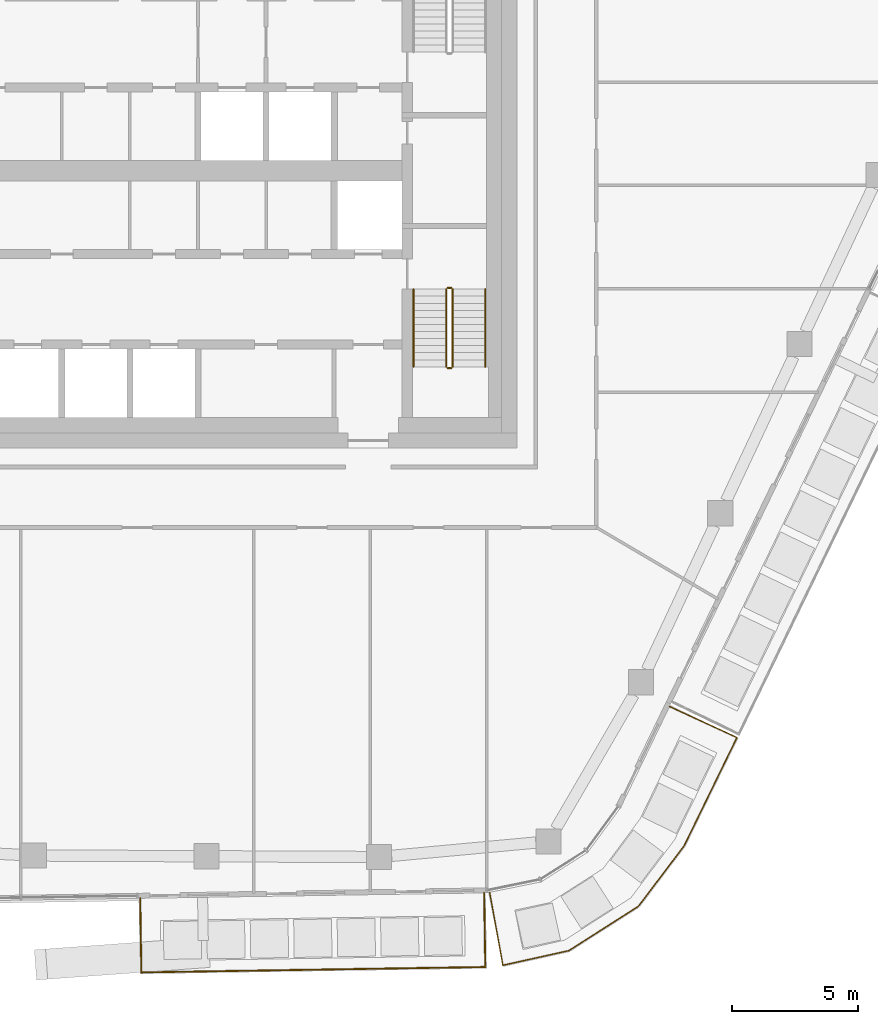
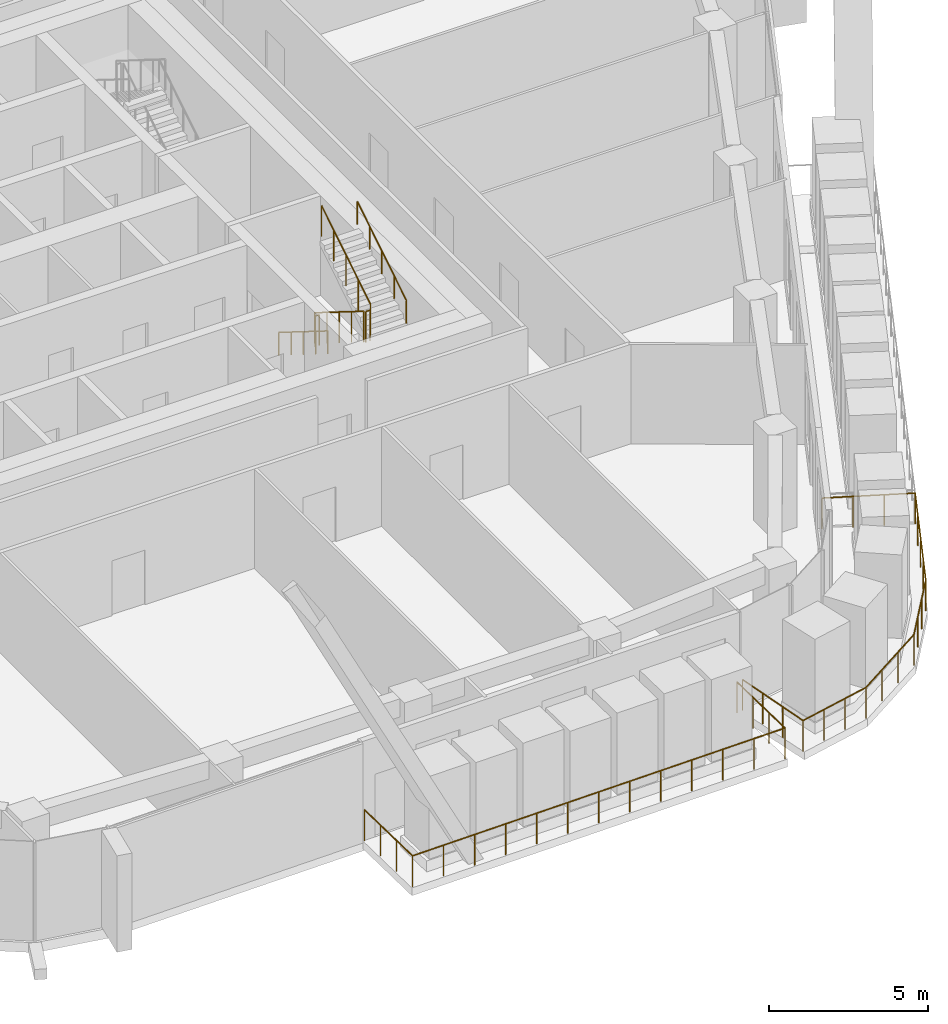
# One storey, part 20 of 24: 8 railings.
"""IFC4 building model written with IfcOpenShell, lengths in metres."""

import ifcopenshell
import ifcopenshell.guid

model = None  # the IFC model being written
_history = None  # IfcOwnerHistory: only IFC2X3 demands one
_inside = {}  # id of a spatial element -> (the spatial element, [elements in it])
_under = {}  # id of a project, library or spatial element -> (it, [spatial elements below it])
_declared = {}  # id of a project -> (the project, [libraries it declares])
_typed = {}  # id of a type object -> (the type object, [elements of that type])
_made_of = {}  # id of a material, layer set ... -> (it, [elements and type objects made of it])


def new_model(schema):
    """Start an empty IFC model of exactly this schema.

    Asked for "IFC4X3", IfcOpenShell would pick the latest addendum, in which some entities
    have other attributes; the version numbers below select the first issue.
    IFC2X3 requires an IfcOwnerHistory on every rooted entity: one is made here for all.
    """
    global model, _history
    if schema == "IFC4X3":
        model = ifcopenshell.file(schema_version=(4, 3, 0, 0))
    else:
        model = ifcopenshell.file(schema=schema)
    _inside.clear()
    _under.clear()
    _declared.clear()
    _typed.clear()
    _made_of.clear()
    _history = None
    if model.schema == "IFC2X3":
        org = make("IfcOrganization", Name="unknown")
        user = make(
            "IfcPersonAndOrganization",
            ThePerson=make("IfcPerson", FamilyName="unknown"),
            TheOrganization=org,
        )
        app = make(
            "IfcApplication",
            ApplicationDeveloper=org,
            Version="unknown",
            ApplicationFullName="unknown",
            ApplicationIdentifier="unknown",
        )
        _history = make(
            "IfcOwnerHistory",
            OwningUser=user,
            OwningApplication=app,
            ChangeAction="ADDED",
            CreationDate=0,
        )
    return model


def make(cls, **values):
    """One entity of the class cls with the attributes given. An attribute that is None is left unset."""
    return model.create_entity(
        cls, **{name: value for name, value in values.items() if value is not None}
    )


def rooted(cls, **values):
    """An entity with a GlobalId (a new one), such as an element, a storey or a relation."""
    return make(cls, GlobalId=ifcopenshell.guid.new(), OwnerHistory=_history, **values)


def si_unit(unit_type, name, prefix=None):
    """IfcSIUnit, for example si_unit("LENGTHUNIT", "METRE", prefix="MILLI")."""
    return make("IfcSIUnit", UnitType=unit_type, Prefix=prefix, Name=name)


def assignment(units):
    """IfcUnitAssignment: the units of a project."""
    return None if units is None else make("IfcUnitAssignment", Units=units)


def point(xyz):
    """IfcCartesianPoint."""
    return None if xyz is None else make("IfcCartesianPoint", Coordinates=xyz)


def direction(xyz):
    """IfcDirection."""
    return None if xyz is None else make("IfcDirection", DirectionRatios=xyz)


def frame(location, z_axis=None, x_axis=None):
    """IfcAxis2Placement3D, a coordinate frame: its origin and axes. An axis left out is left unset."""
    return make(
        "IfcAxis2Placement3D",
        Location=point(location),
        Axis=direction(z_axis),
        RefDirection=direction(x_axis),
    )


def frame_2d(location, x_axis=None):
    """IfcAxis2Placement2D, a coordinate frame in the plane: its origin and x axis."""
    return make(
        "IfcAxis2Placement2D", Location=point(location), RefDirection=direction(x_axis)
    )


def origin():
    """The frame at (0, 0, 0) with its axes left unset."""
    return frame((0.0, 0.0, 0.0))


def origin_2d():
    """The frame at (0, 0) in the plane with its x axis left unset."""
    return frame_2d((0.0, 0.0))


def place(relative_to, where):
    """IfcLocalPlacement: puts the frame where relative to a parent placement (None: the world)."""
    return make(
        "IfcLocalPlacement", PlacementRelTo=relative_to, RelativePlacement=where
    )


def context(
    kind, dimensions, precision=None, world=None, true_north=None, identifier=None
):
    """IfcGeometricRepresentationContext, for example the 3D "Model" context."""
    return make(
        "IfcGeometricRepresentationContext",
        ContextIdentifier=identifier,
        ContextType=kind,
        CoordinateSpaceDimension=dimensions,
        Precision=precision,
        WorldCoordinateSystem=world,
        TrueNorth=true_north,
    )


def subcontext(parent, identifier, kind, view, scale=None):
    """IfcGeometricRepresentationSubContext, for example "Body" below "Model"."""
    return make(
        "IfcGeometricRepresentationSubContext",
        ContextIdentifier=identifier,
        ContextType=kind,
        ParentContext=parent,
        TargetScale=scale,
        TargetView=view,
    )


def project(units=None, contexts=None):
    """IfcProject with its units and contexts."""
    return rooted(
        "IfcProject",
        Name="project",
        RepresentationContexts=contexts,
        UnitsInContext=assignment(units),
    )


def spatial(cls, under=None, at=None, **own):
    """A site, building, storey or space (cls), placed at a placement, below another one or the project."""
    s = rooted(cls, ObjectPlacement=at, **own)
    if under is not None:
        _under.setdefault(under.id(), (under, []))[1].append(s)
    return s


def profile(cls, at=None, kind="AREA", **sizes):
    """A parametric profile (cls). Its sizes go by their IFC names, for example OverallWidth=200.0."""
    return make(cls, ProfileType=kind, Position=at, **sizes)


def circle(**sizes):
    """IfcCircleProfileDef."""
    return profile("IfcCircleProfileDef", **sizes)


def extrude(swept, where, along, depth):
    """IfcExtrudedAreaSolid: the profile swept, set in the frame where, extruded along a direction by depth."""
    return make(
        "IfcExtrudedAreaSolid",
        SweptArea=swept,
        Position=where,
        ExtrudedDirection=direction(along),
        Depth=depth,
    )


def shape(context_of_items, identifier, shape_type, items):
    """IfcShapeRepresentation: the items that make up one representation, for example the "Body"."""
    return make(
        "IfcShapeRepresentation",
        ContextOfItems=context_of_items,
        RepresentationIdentifier=identifier,
        RepresentationType=shape_type,
        Items=items,
    )


def material(Name=None, Category=None):
    """IfcMaterial."""
    return make("IfcMaterial", Name=Name, Category=Category)


def made_of(thing, what):
    """Note that an element or type object is made of a material, layer set ...; save() writes the relation."""
    if what is not None:
        _made_of.setdefault(what.id(), (what, []))[1].append(thing)
    return thing


def type_object(cls, material=None, **own):
    """A type object (cls), such as IfcWallType, which elements share."""
    return made_of(rooted(cls, **own), material)


def element(
    cls,
    number,
    at=None,
    inside=None,
    cuts=None,
    type_object=None,
    material=None,
    context=None,
    identifier="Body",
    shape_type=None,
    held_by="IfcProductDefinitionShape",
    body=None,
    shapes=None,
    **own,
):
    """One element of the class cls, such as IfcWall. Its Tag is "e" and its number.

    at: its placement. inside: the storey or other place that contains it. cuts: it is an
    opening in that element (IfcRelVoidsElement). A single representation is given by context,
    identifier, shape_type and body (its items); several are given by shapes. held_by: the class
    of the entity that holds the representations. save() writes the other relations.
    """
    e = rooted(cls, Tag="e%d" % number, ObjectPlacement=at, **own)
    if body is not None:
        shapes = [shape(context, identifier, shape_type, body)]
    if shapes is not None:
        e.Representation = make(held_by, Representations=shapes)
    if inside is not None:
        _inside.setdefault(inside.id(), (inside, []))[1].append(e)
    if cuts is not None:
        rooted(
            "IfcRelVoidsElement", RelatingBuildingElement=cuts, RelatedOpeningElement=e
        )
    if type_object is not None:
        _typed.setdefault(type_object.id(), (type_object, []))[1].append(e)
    return made_of(e, material)


def aggregate(whole, parts):
    """IfcRelAggregates: a whole, such as a stair, and the parts it consists of."""
    return rooted("IfcRelAggregates", RelatingObject=whole, RelatedObjects=parts)


def save(model, path):
    """Write the relations noted so far, then the file.

    IfcRelAggregates (storeys below a building ...), IfcRelContainedInSpatialStructure (elements
    in a storey), IfcRelDefinesByType, IfcRelAssociatesMaterial and IfcRelDeclares: one each for
    every whole, place, type object, material and project.
    """
    for whole, parts in _under.values():
        aggregate(whole, parts)
    for where, things in _inside.values():
        rooted(
            "IfcRelContainedInSpatialStructure",
            RelatedElements=things,
            RelatingStructure=where,
        )
    for kind, things in _typed.values():
        rooted("IfcRelDefinesByType", RelatedObjects=things, RelatingType=kind)
    for what, things in _made_of.values():
        rooted("IfcRelAssociatesMaterial", RelatedObjects=things, RelatingMaterial=what)
    for by, libraries in _declared.values():
        rooted("IfcRelDeclares", RelatingContext=by, RelatedDefinitions=libraries)
    model.write(path)


model = new_model("IFC4")

# Units and contexts
model_context = context("Model", 3, precision=1e-05, world=origin(), true_north=direction((0.0, 1.0)))
body_context = subcontext(model_context, "Body", "Model", "MODEL_VIEW")
ifc_project = project(units=[si_unit("LENGTHUNIT", "METRE"), si_unit("AREAUNIT", "SQUARE_METRE"), si_unit("VOLUMEUNIT", "CUBIC_METRE"), si_unit("PLANEANGLEUNIT", "RADIAN"), si_unit("MASSUNIT", "GRAM", prefix="KILO")], contexts=[model_context])

# Site, building, storey
site_placement = place(None, origin())
site = spatial("IfcSite", under=ifc_project, at=site_placement, CompositionType="ELEMENT")
building_placement = place(site_placement, origin())
building = spatial("IfcBuilding", under=site, at=building_placement, Name="Dongbaek Canopy Tower", CompositionType="ELEMENT")
storey_placement = place(building_placement, frame((0.0, 0.0, 298.39990234375)))
storey = spatial("IfcBuildingStorey", under=building, at=storey_placement, Name="L63", CompositionType="ELEMENT", Elevation=298.39990234375)

# Railings
ifc_material_1 = material(Name="Stainless steel", Category="steel")
railing_type_1 = type_object("IfcRailingType", Name="Balcony balustrade 1200", PredefinedType="BALUSTRADE", material=ifc_material_1)
railing_1_placement = place(storey_placement, frame((-0.943359375, -28.865478515625, 0.0)))
element("IfcRailing", 1, at=railing_1_placement, inside=storey, type_object=railing_type_1, Name="Balcony guard L63 4", PredefinedType="BALUSTRADE", context=body_context, shape_type="SweptSolid", body=[
    extrude(circle(Radius=0.02392578125, at=origin_2d()), frame((0.0, 0.0, 1.17578125), z_axis=(0.015694437486, -0.999876834731, 0.0), x_axis=(0.999876834731, 0.015694437486, 0.0)), (0.0, 0.0, 1.0), 2.93994140625),
    extrude(circle(Radius=0.02392578125, at=origin_2d()), frame((0.046142578125, -2.939697265625, 1.17578125), z_axis=(0.999876923775, 0.015688763569, 0.0), x_axis=(-0.015688763569, 0.999876923775, 0.0)), (0.0, 0.0, 1.0), 13.6474609375),
    extrude(circle(Radius=0.02392578125, at=origin_2d()), frame((13.69189453125, -2.7255859375, 1.17578125), z_axis=(-0.015695740689, 0.999876814275, 0.0), x_axis=(-0.999876814275, -0.015695740689, 0.0)), (0.0, 0.0, 1.0), 2.939697265625),
    extrude(circle(Radius=0.02099609375, at=origin_2d()), origin(), (0.0, 0.0, 1.0), 1.15185546875),
    extrude(circle(Radius=0.02099609375, at=origin_2d()), frame((0.015380859375, -0.97998046875, 0.0)), (0.0, 0.0, 1.0), 1.15185546875),
    extrude(circle(Radius=0.02099609375, at=origin_2d()), frame((0.03076171875, -1.959716796875, 0.0)), (0.0, 0.0, 1.0), 1.15185546875),
    extrude(circle(Radius=0.02099609375, at=origin_2d()), frame((0.046142578125, -2.939697265625, 0.0)), (0.0, 0.0, 1.0), 1.15185546875),
    extrude(circle(Radius=0.02099609375, at=origin_2d()), frame((1.183349609375, -2.921875, 0.0)), (0.0, 0.0, 1.0), 1.15185546875),
    extrude(circle(Radius=0.02099609375, at=origin_2d()), frame((2.3203125, -2.904052734375, 0.0)), (0.0, 0.0, 1.0), 1.15185546875),
    extrude(circle(Radius=0.02099609375, at=origin_2d()), frame((3.45751953125, -2.88623046875, 0.0)), (0.0, 0.0, 1.0), 1.15185546875),
    extrude(circle(Radius=0.02099609375, at=origin_2d()), frame((4.5947265625, -2.868408203125, 0.0)), (0.0, 0.0, 1.0), 1.15185546875),
    extrude(circle(Radius=0.02099609375, at=origin_2d()), frame((5.73193359375, -2.8505859375, 0.0)), (0.0, 0.0, 1.0), 1.15185546875),
    extrude(circle(Radius=0.02099609375, at=origin_2d()), frame((6.869140625, -2.83251953125, 0.0)), (0.0, 0.0, 1.0), 1.15185546875),
    extrude(circle(Radius=0.02099609375, at=origin_2d()), frame((8.006103515625, -2.814697265625, 0.0)), (0.0, 0.0, 1.0), 1.15185546875),
    extrude(circle(Radius=0.02099609375, at=origin_2d()), frame((9.143310546875, -2.796875, 0.0)), (0.0, 0.0, 1.0), 1.15185546875),
    extrude(circle(Radius=0.02099609375, at=origin_2d()), frame((10.280517578125, -2.779052734375, 0.0)), (0.0, 0.0, 1.0), 1.15185546875),
    extrude(circle(Radius=0.02099609375, at=origin_2d()), frame((11.41748046875, -2.76123046875, 0.0)), (0.0, 0.0, 1.0), 1.15185546875),
    extrude(circle(Radius=0.02099609375, at=origin_2d()), frame((12.5546875, -2.743408203125, 0.0)), (0.0, 0.0, 1.0), 1.15185546875),
    extrude(circle(Radius=0.02099609375, at=origin_2d()), frame((13.69189453125, -2.7255859375, 0.0)), (0.0, 0.0, 1.0), 1.15185546875),
    extrude(circle(Radius=0.02099609375, at=origin_2d()), frame((13.676513671875, -1.745849609375, 0.0)), (0.0, 0.0, 1.0), 1.15185546875),
    extrude(circle(Radius=0.02099609375, at=origin_2d()), frame((13.6611328125, -0.765869140625, 0.0)), (0.0, 0.0, 1.0), 1.15185546875),
    extrude(circle(Radius=0.02099609375, at=origin_2d()), frame((13.645751953125, 0.2138671875, 0.0)), (0.0, 0.0, 1.0), 1.15185546875),
])
railing_2_placement = place(storey_placement, frame((12.920166015625, -28.6279296875, 0.0)))
element("IfcRailing", 2, at=railing_2_placement, inside=storey, type_object=railing_type_1, Name="Balcony guard L63 8", PredefinedType="BALUSTRADE", context=body_context, shape_type="SweptSolid", body=[
    extrude(circle(Radius=0.02392578125, at=origin_2d()), frame((0.0, 0.0, 1.17578125), z_axis=(0.178330161984, -0.983970707555, 0.0), x_axis=(0.983970707555, 0.178330161984, 0.0)), (0.0, 0.0, 1.0), 2.940673828125),
    extrude(circle(Radius=0.02392578125, at=origin_2d()), frame((0.5244140625, -2.8935546875, 1.17578125), z_axis=(0.976289674144, 0.216468178169, 0.0), x_axis=(-0.216468178169, 0.976289674144, 0.0)), (0.0, 0.0, 1.0), 2.684326171875),
    extrude(circle(Radius=0.02392578125, at=origin_2d()), frame((3.14501953125, -2.3125, 1.17578125), z_axis=(0.843107940563, 0.537744363577, 0.0), x_axis=(-0.537744363577, 0.843107940563, 0.0)), (0.0, 0.0, 1.0), 3.271484375),
    extrude(circle(Radius=0.02392578125, at=origin_2d()), frame((5.9033203125, -0.55322265625, 1.17578125), z_axis=(0.603154935556, 0.797624049108, 0.0), x_axis=(-0.797624049108, 0.603154935556, 0.0)), (0.0, 0.0, 1.0), 3.004150390625),
    extrude(circle(Radius=0.02392578125, at=origin_2d()), frame((7.71533203125, 1.843017578125, 1.17578125), z_axis=(0.43816512398, 0.898894501111, 0.0), x_axis=(-0.898894501111, 0.43816512398, 0.0)), (0.0, 0.0, 1.0), 4.782470703125),
    extrude(circle(Radius=0.02392578125, at=origin_2d()), frame((9.810791015625, 6.141845703125, 1.17578125), z_axis=(-0.90870152935, 0.417446440345, 0.0), x_axis=(-0.417446440345, -0.90870152935, 0.0)), (0.0, 0.0, 1.0), 2.940673828125),
    extrude(circle(Radius=0.02099609375, at=origin_2d()), origin(), (0.0, 0.0, 1.0), 1.15185546875),
    extrude(circle(Radius=0.02099609375, at=origin_2d()), frame((0.1748046875, -0.964599609375, 0.0)), (0.0, 0.0, 1.0), 1.15185546875),
    extrude(circle(Radius=0.02099609375, at=origin_2d()), frame((0.349609375, -1.928955078125, 0.0)), (0.0, 0.0, 1.0), 1.15185546875),
    extrude(circle(Radius=0.02099609375, at=origin_2d()), frame((0.5244140625, -2.8935546875, 0.0)), (0.0, 0.0, 1.0), 1.15185546875),
    extrude(circle(Radius=0.02099609375, at=origin_2d()), frame((1.39794921875, -2.699951171875, 0.0)), (0.0, 0.0, 1.0), 1.15185546875),
    extrude(circle(Radius=0.02099609375, at=origin_2d()), frame((2.271484375, -2.506103515625, 0.0)), (0.0, 0.0, 1.0), 1.15185546875),
    extrude(circle(Radius=0.02099609375, at=origin_2d()), frame((3.14501953125, -2.3125, 0.0)), (0.0, 0.0, 1.0), 1.15185546875),
    extrude(circle(Radius=0.02099609375, at=origin_2d()), frame((4.064453125, -1.72607421875, 0.0)), (0.0, 0.0, 1.0), 1.15185546875),
    extrude(circle(Radius=0.02099609375, at=origin_2d()), frame((4.98388671875, -1.1396484375, 0.0)), (0.0, 0.0, 1.0), 1.15185546875),
    extrude(circle(Radius=0.02099609375, at=origin_2d()), frame((5.9033203125, -0.55322265625, 0.0)), (0.0, 0.0, 1.0), 1.15185546875),
    extrude(circle(Radius=0.02099609375, at=origin_2d()), frame((6.50732421875, 0.24560546875, 0.0)), (0.0, 0.0, 1.0), 1.15185546875),
    extrude(circle(Radius=0.02099609375, at=origin_2d()), frame((7.111328125, 1.044189453125, 0.0)), (0.0, 0.0, 1.0), 1.15185546875),
    extrude(circle(Radius=0.02099609375, at=origin_2d()), frame((7.71533203125, 1.843017578125, 0.0)), (0.0, 0.0, 1.0), 1.15185546875),
    extrude(circle(Radius=0.02099609375, at=origin_2d()), frame((8.2392578125, 2.917724609375, 0.0)), (0.0, 0.0, 1.0), 1.15185546875),
    extrude(circle(Radius=0.02099609375, at=origin_2d()), frame((8.76318359375, 3.992431640625, 0.0)), (0.0, 0.0, 1.0), 1.15185546875),
    extrude(circle(Radius=0.02099609375, at=origin_2d()), frame((9.286865234375, 5.067138671875, 0.0)), (0.0, 0.0, 1.0), 1.15185546875),
    extrude(circle(Radius=0.02099609375, at=origin_2d()), frame((9.810791015625, 6.141845703125, 0.0)), (0.0, 0.0, 1.0), 1.15185546875),
    extrude(circle(Radius=0.02099609375, at=origin_2d()), frame((8.920166015625, 6.551025390625, 0.0)), (0.0, 0.0, 1.0), 1.15185546875),
    extrude(circle(Radius=0.02099609375, at=origin_2d()), frame((8.029296875, 6.960205078125, 0.0)), (0.0, 0.0, 1.0), 1.15185546875),
    extrude(circle(Radius=0.02099609375, at=origin_2d()), frame((7.138671875, 7.369384765625, 0.0)), (0.0, 0.0, 1.0), 1.15185546875),
])
ifc_material_2 = material(Name="Stainless steel tube and balusters", Category="steel")
railing_type_2 = type_object("IfcRailingType", Name="Stair guard 1200", PredefinedType="GUARDRAIL", material=ifc_material_2)
railing_3_placement = place(storey_placement, frame((11.199951171875, -4.699951171875, 0.175048828125)))
element("IfcRailing", 3, at=railing_3_placement, inside=storey, type_object=railing_type_2, Name="L63 ST-B stair guard 1", PredefinedType="GUARDRAIL", context=body_context, shape_type="SweptSolid", body=[
    extrude(circle(Radius=0.02392578125, at=origin_2d()), frame((0.0, 0.0, 1.17578125), z_axis=(0.0, -0.847998304005, 0.529998940003), x_axis=(1.0, 0.0, 0.0)), (0.0, 0.0, 1.0), 3.632080078125),
    extrude(circle(Radius=0.02099609375, at=origin_2d()), origin(), (0.0, 0.0, 1.0), 1.15185546875),
    extrude(circle(Radius=0.02099609375, at=origin_2d()), frame((0.0, -0.77001953125, 0.481201171875)), (0.0, 0.0, 1.0), 1.15185546875),
    extrude(circle(Radius=0.02099609375, at=origin_2d()), frame((0.0, -1.5400390625, 0.96240234375)), (0.0, 0.0, 1.0), 1.15185546875),
    extrude(circle(Radius=0.02099609375, at=origin_2d()), frame((0.0, -2.31005859375, 1.44384765625)), (0.0, 0.0, 1.0), 1.15185546875),
    extrude(circle(Radius=0.02099609375, at=origin_2d()), frame((0.0, -3.080078125, 1.925048828125)), (0.0, 0.0, 1.0), 1.15185546875),
])
railing_4_placement = place(storey_placement, frame((11.25, -7.830078125, 2.10009765625)))
element("IfcRailing", 4, at=railing_4_placement, inside=storey, type_object=railing_type_2, Name="L63 ST-B stair guard 2", PredefinedType="GUARDRAIL", context=body_context, shape_type="SweptSolid", body=[
    extrude(circle(Radius=0.02392578125, at=origin_2d()), frame((0.0, 0.0, 1.17578125), z_axis=(1.0, 0.0, 0.0), x_axis=(0.0, 1.0, 0.0)), (0.0, 0.0, 1.0), 0.14990234375),
    extrude(circle(Radius=0.02099609375, at=origin_2d()), origin(), (0.0, 0.0, 1.0), 1.15185546875),
    extrude(circle(Radius=0.02099609375, at=origin_2d()), frame((0.14990234375, 0.0, 0.0)), (0.0, 0.0, 1.0), 1.15185546875),
])
railing_5_placement = place(storey_placement, frame((11.449951171875, -7.780029296875, 2.275146484375)))
element("IfcRailing", 5, at=railing_5_placement, inside=storey, type_object=railing_type_2, Name="L63 ST-B stair guard 3", PredefinedType="GUARDRAIL", context=body_context, shape_type="SweptSolid", body=[
    extrude(circle(Radius=0.02392578125, at=origin_2d()), frame((0.0, 0.0, 1.17578125), z_axis=(0.0, 0.847998304005, 0.529998940003), x_axis=(-1.0, 0.0, 0.0)), (0.0, 0.0, 1.0), 3.632080078125),
    extrude(circle(Radius=0.02099609375, at=origin_2d()), origin(), (0.0, 0.0, 1.0), 1.15185546875),
    extrude(circle(Radius=0.02099609375, at=origin_2d()), frame((0.0, 0.77001953125, 0.481201171875)), (0.0, 0.0, 1.0), 1.15185546875),
    extrude(circle(Radius=0.02099609375, at=origin_2d()), frame((0.0, 1.5400390625, 0.96240234375)), (0.0, 0.0, 1.0), 1.15185546875),
    extrude(circle(Radius=0.02099609375, at=origin_2d()), frame((0.0, 2.31005859375, 1.44384765625)), (0.0, 0.0, 1.0), 1.15185546875),
    extrude(circle(Radius=0.02099609375, at=origin_2d()), frame((0.0, 3.080078125, 1.925048828125)), (0.0, 0.0, 1.0), 1.15185546875),
])
railing_6_placement = place(storey_placement, frame((11.25, -4.64990234375, 0.0)))
element("IfcRailing", 6, at=railing_6_placement, inside=storey, type_object=railing_type_2, Name="L63 ST-B stair guard 4", PredefinedType="GUARDRAIL", context=body_context, shape_type="SweptSolid", body=[
    extrude(circle(Radius=0.02392578125, at=origin_2d()), frame((0.0, 0.0, 1.17578125), z_axis=(1.0, 0.0, 0.0), x_axis=(0.0, 1.0, 0.0)), (0.0, 0.0, 1.0), 0.14990234375),
    extrude(circle(Radius=0.02099609375, at=origin_2d()), origin(), (0.0, 0.0, 1.0), 1.15185546875),
    extrude(circle(Radius=0.02099609375, at=origin_2d()), frame((0.14990234375, 0.0, 0.0)), (0.0, 0.0, 1.0), 1.15185546875),
])
ifc_material_3 = material(Name="Stainless steel tube", Category="steel")
railing_type_3 = type_object("IfcRailingType", Name="Stair handrail 900", PredefinedType="HANDRAIL", material=ifc_material_3)
railing_7_placement = place(storey_placement, frame((9.89990234375, -4.699951171875, 0.175048828125)))
element("IfcRailing", 7, at=railing_7_placement, inside=storey, type_object=railing_type_3, Name="L63 ST-B stair handrail 1", PredefinedType="HANDRAIL", context=body_context, shape_type="SweptSolid", body=[
    extrude(circle(Radius=0.02392578125, at=origin_2d()), frame((0.0, 0.0, 0.8759765625), z_axis=(0.0, -0.847998304005, 0.529998940003), x_axis=(1.0, 0.0, 0.0)), (0.0, 0.0, 1.0), 3.632080078125),
    extrude(circle(Radius=0.02099609375, at=origin_2d()), origin(), (0.0, 0.0, 1.0), 0.851806640625),
    extrude(circle(Radius=0.02099609375, at=origin_2d()), frame((0.0, -0.77001953125, 0.481201171875)), (0.0, 0.0, 1.0), 0.851806640625),
    extrude(circle(Radius=0.02099609375, at=origin_2d()), frame((0.0, -1.5400390625, 0.96240234375)), (0.0, 0.0, 1.0), 0.851806640625),
    extrude(circle(Radius=0.02099609375, at=origin_2d()), frame((0.0, -2.31005859375, 1.44384765625)), (0.0, 0.0, 1.0), 0.851806640625),
    extrude(circle(Radius=0.02099609375, at=origin_2d()), frame((0.0, -3.080078125, 1.925048828125)), (0.0, 0.0, 1.0), 0.851806640625),
])
railing_8_placement = place(storey_placement, frame((12.75, -7.780029296875, 2.275146484375)))
element("IfcRailing", 8, at=railing_8_placement, inside=storey, type_object=railing_type_3, Name="L63 ST-B stair handrail 2", PredefinedType="HANDRAIL", context=body_context, shape_type="SweptSolid", body=[
    extrude(circle(Radius=0.02392578125, at=origin_2d()), frame((0.0, 0.0, 0.8759765625), z_axis=(0.0, 0.847998304005, 0.529998940003), x_axis=(-1.0, 0.0, 0.0)), (0.0, 0.0, 1.0), 3.632080078125),
    extrude(circle(Radius=0.02099609375, at=origin_2d()), origin(), (0.0, 0.0, 1.0), 0.851806640625),
    extrude(circle(Radius=0.02099609375, at=origin_2d()), frame((0.0, 0.77001953125, 0.481201171875)), (0.0, 0.0, 1.0), 0.851806640625),
    extrude(circle(Radius=0.02099609375, at=origin_2d()), frame((0.0, 1.5400390625, 0.96240234375)), (0.0, 0.0, 1.0), 0.851806640625),
    extrude(circle(Radius=0.02099609375, at=origin_2d()), frame((0.0, 2.31005859375, 1.44384765625)), (0.0, 0.0, 1.0), 0.851806640625),
    extrude(circle(Radius=0.02099609375, at=origin_2d()), frame((0.0, 3.080078125, 1.925048828125)), (0.0, 0.0, 1.0), 0.851806640625),
])

save(model, "model.ifc")
